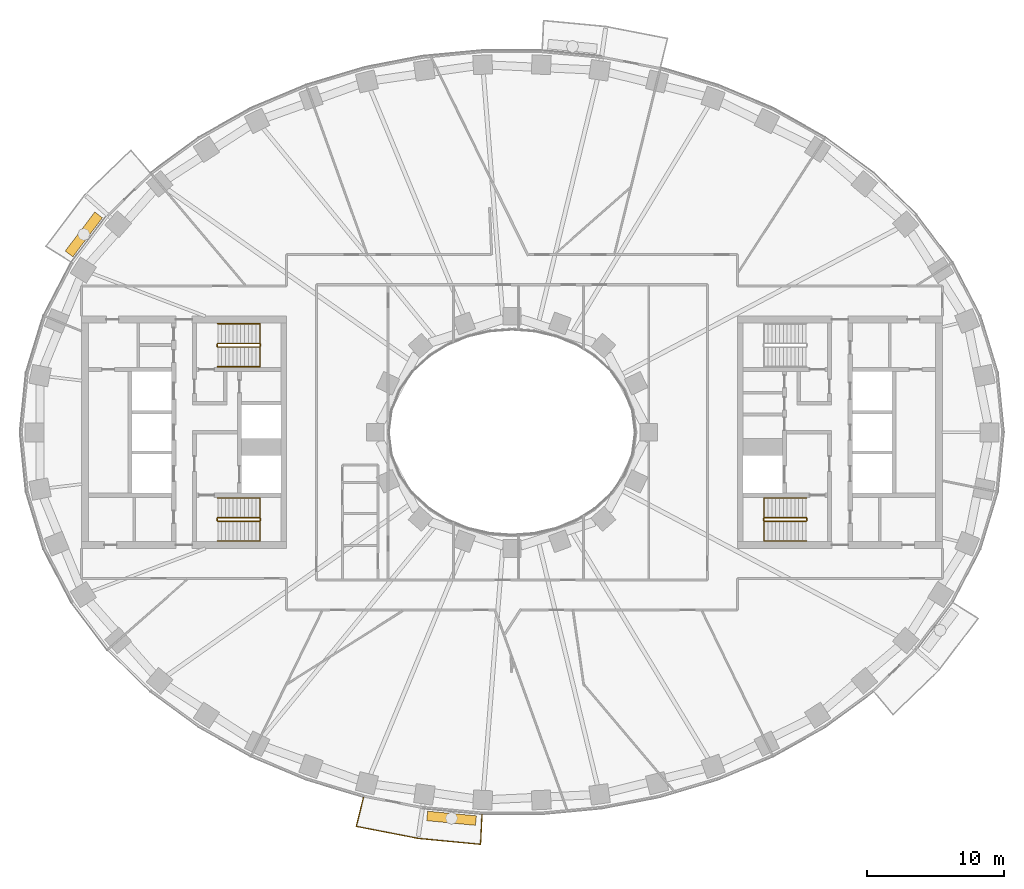
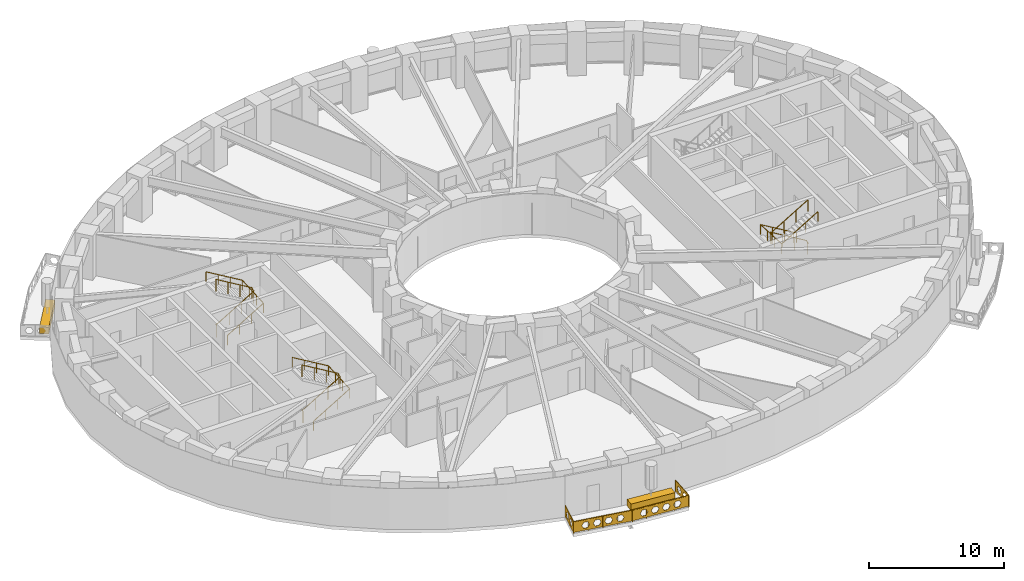
# One storey, part 14 of 16: 7 railings, 2 coverings.
"""IFC4 building model written with IfcOpenShell, lengths in metres."""

from ifc_helpers import new_model, si_unit, direction, frame, origin, origin_2d, place, context, subcontext, project, spatial, polyline, rectangle, outline, extrude, material, type_object, element, save


model = new_model("IFC4")

# Units and contexts
model_context = context("Model", 3, precision=1e-05, world=origin(), true_north=direction((0.0, 1.0)))
body_context = subcontext(model_context, "Body", "Model", "MODEL_VIEW")
ifc_project = project(units=[si_unit("LENGTHUNIT", "METRE"), si_unit("AREAUNIT", "SQUARE_METRE"), si_unit("VOLUMEUNIT", "CUBIC_METRE"), si_unit("PLANEANGLEUNIT", "RADIAN"), si_unit("MASSUNIT", "GRAM", prefix="KILO")], contexts=[model_context])

# Site, building, storey
site_placement = place(None, origin())
site = spatial("IfcSite", under=ifc_project, at=site_placement, CompositionType="ELEMENT")
building_placement = place(site_placement, origin())
building = spatial("IfcBuilding", under=site, at=building_placement, Name="Noorbagh Ring Tower", CompositionType="ELEMENT")
storey_placement = place(building_placement, frame((0.0, 0.0, 58.5)))
storey = spatial("IfcBuildingStorey", under=building, at=storey_placement, Name="L12", CompositionType="ELEMENT", Elevation=58.5)

# Railings
ifc_material_1 = material(Name="Stainless steel", Category="steel")
railing_type_1 = type_object("IfcRailingType", Name="CORE-STAIR-GUARD", PredefinedType="GUARDRAIL", material=ifc_material_1)
railing_1_placement = place(storey_placement, frame((-21.580078125, 6.300048828125, 0.0)))
element("IfcRailing", 1, at=railing_1_placement, inside=storey, type_object=railing_type_1, Name="L12 ST1 stair guard", PredefinedType="GUARDRAIL", context=body_context, shape_type="SweptSolid", body=[
    extrude(rectangle(XDim=0.048095703125, YDim=0.048095703125, at=origin_2d()), frame((0.0, 0.0, 1.076171875), z_axis=(0.0, 1.0, 0.0), x_axis=(-1.0, 0.0, 0.0)), (0.0, 0.0, 1.0), 0.14990234375),
    extrude(rectangle(XDim=0.048095703125, YDim=0.048095703125, at=origin_2d()), frame((0.0, 0.14990234375, 1.076171875), z_axis=(0.188775798145, -0.754182335027, 0.628945707965), x_axis=(0.970072785993, 0.242814311512, 0.0)), (0.0, 0.0, 1.0), 0.26513671875),
    extrude(rectangle(XDim=0.048095703125, YDim=0.048095703125, at=origin_2d()), frame((0.050048828125, -0.050048828125, 1.24267578125), z_axis=(0.859308565015, 0.0, 0.511457515432), x_axis=(0.0, 1.0, 0.0)), (0.0, 0.0, 1.0), 3.58447265625),
    extrude(rectangle(XDim=0.048095703125, YDim=0.048095703125, at=origin_2d()), frame((3.130126953125, -0.050048828125, 3.076171875), z_axis=(0.707106781187, 0.707106781187, 0.0), x_axis=(-0.707106781187, 0.707106781187, 0.0)), (0.0, 0.0, 1.0), 0.07080078125),
    extrude(rectangle(XDim=0.048095703125, YDim=0.048095703125, at=origin_2d()), frame((3.18017578125, 0.0, 3.076171875), z_axis=(0.0, 1.0, 0.0), x_axis=(-1.0, 0.0, 0.0)), (0.0, 0.0, 1.0), 0.14990234375),
    extrude(rectangle(XDim=0.048095703125, YDim=0.048095703125, at=origin_2d()), frame((3.18017578125, 0.14990234375, 3.076171875), z_axis=(-0.27628659633, 0.27628659633, 0.920506074601), x_axis=(-0.707106781187, -0.707106781187, 0.0)), (0.0, 0.0, 1.0), 0.18115234375),
    extrude(rectangle(XDim=0.048095703125, YDim=0.048095703125, at=origin_2d()), frame((3.130126953125, 0.199951171875, 3.24267578125), z_axis=(-0.859308565015, 0.0, 0.511457515432), x_axis=(0.0, -1.0, 0.0)), (0.0, 0.0, 1.0), 3.58447265625),
    extrude(rectangle(XDim=0.0419921875, YDim=0.0419921875, at=origin_2d()), origin(), (0.0, 0.0, 1.0), 1.052001953125),
    extrude(rectangle(XDim=0.0419921875, YDim=0.0419921875, at=origin_2d()), frame((1.07666015625, -0.050048828125, 0.77783203125)), (0.0, 0.0, 1.0), 1.052001953125),
    extrude(rectangle(XDim=0.0419921875, YDim=0.0419921875, at=origin_2d()), frame((2.103515625, -0.050048828125, 1.388916015625)), (0.0, 0.0, 1.0), 1.052001953125),
    extrude(rectangle(XDim=0.0419921875, YDim=0.0419921875, at=origin_2d()), frame((3.130126953125, -0.050048828125, 2.0)), (0.0, 0.0, 1.0), 1.052001953125),
    extrude(rectangle(XDim=0.0419921875, YDim=0.0419921875, at=origin_2d()), frame((3.130126953125, 0.199951171875, 2.166748046875)), (0.0, 0.0, 1.0), 1.052001953125),
    extrude(rectangle(XDim=0.0419921875, YDim=0.0419921875, at=origin_2d()), frame((2.103515625, 0.199951171875, 2.77783203125)), (0.0, 0.0, 1.0), 1.052001953125),
    extrude(rectangle(XDim=0.0419921875, YDim=0.0419921875, at=origin_2d()), frame((1.07666015625, 0.199951171875, 3.388916015625)), (0.0, 0.0, 1.0), 1.052001953125),
    extrude(rectangle(XDim=0.0419921875, YDim=0.0419921875, at=origin_2d()), frame((0.050048828125, 0.199951171875, 4.0)), (0.0, 0.0, 1.0), 1.052001953125),
])
railing_2_placement = place(storey_placement, frame((-21.580078125, -6.449951171875, 0.0)))
element("IfcRailing", 2, at=railing_2_placement, inside=storey, type_object=railing_type_1, Name="L12 ST2 stair guard", PredefinedType="GUARDRAIL", context=body_context, shape_type="SweptSolid", body=[
    extrude(rectangle(XDim=0.048095703125, YDim=0.048095703125, at=origin_2d()), frame((0.0, 0.0, 1.076171875), z_axis=(0.0, 1.0, 0.0), x_axis=(-1.0, 0.0, 0.0)), (0.0, 0.0, 1.0), 0.14990234375),
    extrude(rectangle(XDim=0.048095703125, YDim=0.048095703125, at=origin_2d()), frame((0.0, 0.14990234375, 1.076171875), z_axis=(0.188775798145, -0.754182335027, 0.628945707965), x_axis=(0.970072785993, 0.242814311512, 0.0)), (0.0, 0.0, 1.0), 0.26513671875),
    extrude(rectangle(XDim=0.048095703125, YDim=0.048095703125, at=origin_2d()), frame((0.050048828125, -0.050048828125, 1.24267578125), z_axis=(0.859308565015, 0.0, 0.511457515432), x_axis=(0.0, 1.0, 0.0)), (0.0, 0.0, 1.0), 3.58447265625),
    extrude(rectangle(XDim=0.048095703125, YDim=0.048095703125, at=origin_2d()), frame((3.130126953125, -0.050048828125, 3.076171875), z_axis=(0.707106781187, 0.707106781187, 0.0), x_axis=(-0.707106781187, 0.707106781187, 0.0)), (0.0, 0.0, 1.0), 0.07080078125),
    extrude(rectangle(XDim=0.048095703125, YDim=0.048095703125, at=origin_2d()), frame((3.18017578125, 0.0, 3.076171875), z_axis=(0.0, 1.0, 0.0), x_axis=(-1.0, 0.0, 0.0)), (0.0, 0.0, 1.0), 0.14990234375),
    extrude(rectangle(XDim=0.048095703125, YDim=0.048095703125, at=origin_2d()), frame((3.18017578125, 0.14990234375, 3.076171875), z_axis=(-0.27628659633, 0.27628659633, 0.920506074601), x_axis=(-0.707106781187, -0.707106781187, 0.0)), (0.0, 0.0, 1.0), 0.18115234375),
    extrude(rectangle(XDim=0.048095703125, YDim=0.048095703125, at=origin_2d()), frame((3.130126953125, 0.199951171875, 3.24267578125), z_axis=(-0.859308565015, 0.0, 0.511457515432), x_axis=(0.0, -1.0, 0.0)), (0.0, 0.0, 1.0), 3.58447265625),
    extrude(rectangle(XDim=0.0419921875, YDim=0.0419921875, at=origin_2d()), origin(), (0.0, 0.0, 1.0), 1.052001953125),
    extrude(rectangle(XDim=0.0419921875, YDim=0.0419921875, at=origin_2d()), frame((1.07666015625, -0.050048828125, 0.77783203125)), (0.0, 0.0, 1.0), 1.052001953125),
    extrude(rectangle(XDim=0.0419921875, YDim=0.0419921875, at=origin_2d()), frame((2.103515625, -0.050048828125, 1.388916015625)), (0.0, 0.0, 1.0), 1.052001953125),
    extrude(rectangle(XDim=0.0419921875, YDim=0.0419921875, at=origin_2d()), frame((3.130126953125, -0.050048828125, 2.0)), (0.0, 0.0, 1.0), 1.052001953125),
    extrude(rectangle(XDim=0.0419921875, YDim=0.0419921875, at=origin_2d()), frame((3.130126953125, 0.199951171875, 2.166748046875)), (0.0, 0.0, 1.0), 1.052001953125),
    extrude(rectangle(XDim=0.0419921875, YDim=0.0419921875, at=origin_2d()), frame((2.103515625, 0.199951171875, 2.77783203125)), (0.0, 0.0, 1.0), 1.052001953125),
    extrude(rectangle(XDim=0.0419921875, YDim=0.0419921875, at=origin_2d()), frame((1.07666015625, 0.199951171875, 3.388916015625)), (0.0, 0.0, 1.0), 1.052001953125),
    extrude(rectangle(XDim=0.0419921875, YDim=0.0419921875, at=origin_2d()), frame((0.050048828125, 0.199951171875, 4.0)), (0.0, 0.0, 1.0), 1.052001953125),
])
railing_3_placement = place(storey_placement, frame((21.580078125, -6.300048828125, 0.0)))
element("IfcRailing", 3, at=railing_3_placement, inside=storey, type_object=railing_type_1, Name="L12 ST4 stair guard", PredefinedType="GUARDRAIL", context=body_context, shape_type="SweptSolid", body=[
    extrude(rectangle(XDim=0.048095703125, YDim=0.048095703125, at=origin_2d()), frame((0.0, 0.0, 1.076171875), z_axis=(0.0, -1.0, 0.0), x_axis=(1.0, 0.0, 0.0)), (0.0, 0.0, 1.0), 0.14990234375),
    extrude(rectangle(XDim=0.048095703125, YDim=0.048095703125, at=origin_2d()), frame((0.0, -0.14990234375, 1.076171875), z_axis=(-0.188775798145, 0.754182335027, 0.628945707965), x_axis=(-0.970072785993, -0.242814311512, 0.0)), (0.0, 0.0, 1.0), 0.26513671875),
    extrude(rectangle(XDim=0.048095703125, YDim=0.048095703125, at=origin_2d()), frame((-0.050048828125, 0.050048828125, 1.24267578125), z_axis=(-0.859308565015, 0.0, 0.511457515432), x_axis=(0.0, -1.0, 0.0)), (0.0, 0.0, 1.0), 3.58447265625),
    extrude(rectangle(XDim=0.048095703125, YDim=0.048095703125, at=origin_2d()), frame((-3.130126953125, 0.050048828125, 3.076171875), z_axis=(-0.707106781187, -0.707106781187, 0.0), x_axis=(0.707106781187, -0.707106781187, 0.0)), (0.0, 0.0, 1.0), 0.07080078125),
    extrude(rectangle(XDim=0.048095703125, YDim=0.048095703125, at=origin_2d()), frame((-3.18017578125, 0.0, 3.076171875), z_axis=(0.0, -1.0, 0.0), x_axis=(1.0, 0.0, 0.0)), (0.0, 0.0, 1.0), 0.14990234375),
    extrude(rectangle(XDim=0.048095703125, YDim=0.048095703125, at=origin_2d()), frame((-3.18017578125, -0.14990234375, 3.076171875), z_axis=(0.27628659633, -0.27628659633, 0.920506074601), x_axis=(0.707106781187, 0.707106781187, 0.0)), (0.0, 0.0, 1.0), 0.18115234375),
    extrude(rectangle(XDim=0.048095703125, YDim=0.048095703125, at=origin_2d()), frame((-3.130126953125, -0.199951171875, 3.24267578125), z_axis=(0.859308565015, 0.0, 0.511457515432), x_axis=(0.0, 1.0, 0.0)), (0.0, 0.0, 1.0), 3.58447265625),
    extrude(rectangle(XDim=0.0419921875, YDim=0.0419921875, at=origin_2d()), origin(), (0.0, 0.0, 1.0), 1.052001953125),
    extrude(rectangle(XDim=0.0419921875, YDim=0.0419921875, at=origin_2d()), frame((-1.07666015625, 0.050048828125, 0.77783203125)), (0.0, 0.0, 1.0), 1.052001953125),
    extrude(rectangle(XDim=0.0419921875, YDim=0.0419921875, at=origin_2d()), frame((-2.103515625, 0.050048828125, 1.388916015625)), (0.0, 0.0, 1.0), 1.052001953125),
    extrude(rectangle(XDim=0.0419921875, YDim=0.0419921875, at=origin_2d()), frame((-3.130126953125, 0.050048828125, 2.0)), (0.0, 0.0, 1.0), 1.052001953125),
    extrude(rectangle(XDim=0.0419921875, YDim=0.0419921875, at=origin_2d()), frame((-3.130126953125, -0.199951171875, 2.166748046875)), (0.0, 0.0, 1.0), 1.052001953125),
    extrude(rectangle(XDim=0.0419921875, YDim=0.0419921875, at=origin_2d()), frame((-2.103515625, -0.199951171875, 2.77783203125)), (0.0, 0.0, 1.0), 1.052001953125),
    extrude(rectangle(XDim=0.0419921875, YDim=0.0419921875, at=origin_2d()), frame((-1.07666015625, -0.199951171875, 3.388916015625)), (0.0, 0.0, 1.0), 1.052001953125),
    extrude(rectangle(XDim=0.0419921875, YDim=0.0419921875, at=origin_2d()), frame((-0.050048828125, -0.199951171875, 4.0)), (0.0, 0.0, 1.0), 1.052001953125),
])
ifc_material_2 = material(Name="Stainless steel", Category="steel")
railing_type_2 = type_object("IfcRailingType", Name="CORE-STAIR-HANDRAIL", PredefinedType="HANDRAIL", material=ifc_material_2)
railing_4_placement = place(storey_placement, frame((-21.530029296875, 4.800048828125, 0.166748046875)))
element("IfcRailing", 4, at=railing_4_placement, inside=storey, type_object=railing_type_2, Name="L12 ST1 stair handrail", PredefinedType="HANDRAIL", context=body_context, shape_type="SweptSolid", body=[
    extrude(rectangle(XDim=0.048095703125, YDim=0.048095703125, at=origin_2d()), frame((0.0, 0.0, 0.8759765625), z_axis=(0.859308565015, 0.0, 0.511457515432), x_axis=(0.0, 1.0, 0.0)), (0.0, 0.0, 1.0), 3.58447265625),
    extrude(rectangle(XDim=0.048095703125, YDim=0.048095703125, at=origin_2d()), frame((3.080078125, 0.0, 2.708984375), z_axis=(0.0, 0.998601747152, 0.052863509014), x_axis=(-1.0, 0.0, 0.0)), (0.0, 0.0, 1.0), 3.154296875),
    extrude(rectangle(XDim=0.048095703125, YDim=0.048095703125, at=origin_2d()), frame((3.080078125, 3.14990234375, 2.8759765625), z_axis=(-0.859308565015, 0.0, 0.511457515432), x_axis=(0.0, -1.0, 0.0)), (0.0, 0.0, 1.0), 3.58447265625),
    extrude(rectangle(XDim=0.0419921875, YDim=0.0419921875, at=origin_2d()), origin(), (0.0, 0.0, 1.0), 0.851806640625),
    extrude(rectangle(XDim=0.0419921875, YDim=0.0419921875, at=origin_2d()), frame((1.026611328125, 0.0, 0.611083984375)), (0.0, 0.0, 1.0), 0.851806640625),
    extrude(rectangle(XDim=0.0419921875, YDim=0.0419921875, at=origin_2d()), frame((2.053466796875, 0.0, 1.22216796875)), (0.0, 0.0, 1.0), 0.851806640625),
    extrude(rectangle(XDim=0.0419921875, YDim=0.0419921875, at=origin_2d()), frame((3.080078125, 0.0, 1.833251953125)), (0.0, 0.0, 1.0), 0.851806640625),
    extrude(rectangle(XDim=0.0419921875, YDim=0.0419921875, at=origin_2d()), frame((3.080078125, 1.050048828125, 1.888916015625)), (0.0, 0.0, 1.0), 0.851806640625),
    extrude(rectangle(XDim=0.0419921875, YDim=0.0419921875, at=origin_2d()), frame((3.080078125, 2.099853515625, 1.9443359375)), (0.0, 0.0, 1.0), 0.851806640625),
    extrude(rectangle(XDim=0.0419921875, YDim=0.0419921875, at=origin_2d()), frame((3.080078125, 3.14990234375, 2.0)), (0.0, 0.0, 1.0), 0.851806640625),
    extrude(rectangle(XDim=0.0419921875, YDim=0.0419921875, at=origin_2d()), frame((2.053466796875, 3.14990234375, 2.611083984375)), (0.0, 0.0, 1.0), 0.851806640625),
    extrude(rectangle(XDim=0.0419921875, YDim=0.0419921875, at=origin_2d()), frame((1.026611328125, 3.14990234375, 3.22216796875)), (0.0, 0.0, 1.0), 0.851806640625),
    extrude(rectangle(XDim=0.0419921875, YDim=0.0419921875, at=origin_2d()), frame((0.0, 3.14990234375, 3.833251953125)), (0.0, 0.0, 1.0), 0.851806640625),
])
railing_5_placement = place(storey_placement, frame((-21.530029296875, -7.949951171875, 0.166748046875)))
element("IfcRailing", 5, at=railing_5_placement, inside=storey, type_object=railing_type_2, Name="L12 ST2 stair handrail", PredefinedType="HANDRAIL", context=body_context, shape_type="SweptSolid", body=[
    extrude(rectangle(XDim=0.048095703125, YDim=0.048095703125, at=origin_2d()), frame((0.0, 0.0, 0.8759765625), z_axis=(0.859308565015, 0.0, 0.511457515432), x_axis=(0.0, 1.0, 0.0)), (0.0, 0.0, 1.0), 3.58447265625),
    extrude(rectangle(XDim=0.048095703125, YDim=0.048095703125, at=origin_2d()), frame((3.080078125, 0.0, 2.708984375), z_axis=(0.0, 0.998601747152, 0.052863509014), x_axis=(-1.0, 0.0, 0.0)), (0.0, 0.0, 1.0), 3.154296875),
    extrude(rectangle(XDim=0.048095703125, YDim=0.048095703125, at=origin_2d()), frame((3.080078125, 3.14990234375, 2.8759765625), z_axis=(-0.859308565015, 0.0, 0.511457515432), x_axis=(0.0, -1.0, 0.0)), (0.0, 0.0, 1.0), 3.58447265625),
    extrude(rectangle(XDim=0.0419921875, YDim=0.0419921875, at=origin_2d()), origin(), (0.0, 0.0, 1.0), 0.851806640625),
    extrude(rectangle(XDim=0.0419921875, YDim=0.0419921875, at=origin_2d()), frame((1.026611328125, 0.0, 0.611083984375)), (0.0, 0.0, 1.0), 0.851806640625),
    extrude(rectangle(XDim=0.0419921875, YDim=0.0419921875, at=origin_2d()), frame((2.053466796875, 0.0, 1.22216796875)), (0.0, 0.0, 1.0), 0.851806640625),
    extrude(rectangle(XDim=0.0419921875, YDim=0.0419921875, at=origin_2d()), frame((3.080078125, 0.0, 1.833251953125)), (0.0, 0.0, 1.0), 0.851806640625),
    extrude(rectangle(XDim=0.0419921875, YDim=0.0419921875, at=origin_2d()), frame((3.080078125, 1.050048828125, 1.888916015625)), (0.0, 0.0, 1.0), 0.851806640625),
    extrude(rectangle(XDim=0.0419921875, YDim=0.0419921875, at=origin_2d()), frame((3.080078125, 2.099853515625, 1.9443359375)), (0.0, 0.0, 1.0), 0.851806640625),
    extrude(rectangle(XDim=0.0419921875, YDim=0.0419921875, at=origin_2d()), frame((3.080078125, 3.14990234375, 2.0)), (0.0, 0.0, 1.0), 0.851806640625),
    extrude(rectangle(XDim=0.0419921875, YDim=0.0419921875, at=origin_2d()), frame((2.053466796875, 3.14990234375, 2.611083984375)), (0.0, 0.0, 1.0), 0.851806640625),
    extrude(rectangle(XDim=0.0419921875, YDim=0.0419921875, at=origin_2d()), frame((1.026611328125, 3.14990234375, 3.22216796875)), (0.0, 0.0, 1.0), 0.851806640625),
    extrude(rectangle(XDim=0.0419921875, YDim=0.0419921875, at=origin_2d()), frame((0.0, 3.14990234375, 3.833251953125)), (0.0, 0.0, 1.0), 0.851806640625),
])
railing_6_placement = place(storey_placement, frame((21.530029296875, -4.800048828125, 0.166748046875)))
element("IfcRailing", 6, at=railing_6_placement, inside=storey, type_object=railing_type_2, Name="L12 ST4 stair handrail", PredefinedType="HANDRAIL", context=body_context, shape_type="SweptSolid", body=[
    extrude(rectangle(XDim=0.048095703125, YDim=0.048095703125, at=origin_2d()), frame((0.0, 0.0, 0.8759765625), z_axis=(-0.859308565015, 0.0, 0.511457515432), x_axis=(0.0, -1.0, 0.0)), (0.0, 0.0, 1.0), 3.58447265625),
    extrude(rectangle(XDim=0.048095703125, YDim=0.048095703125, at=origin_2d()), frame((-3.080078125, 0.0, 2.708984375), z_axis=(0.0, -0.998601747152, 0.052863509014), x_axis=(1.0, 0.0, 0.0)), (0.0, 0.0, 1.0), 3.154296875),
    extrude(rectangle(XDim=0.048095703125, YDim=0.048095703125, at=origin_2d()), frame((-3.080078125, -3.14990234375, 2.8759765625), z_axis=(0.859308565015, 0.0, 0.511457515432), x_axis=(0.0, 1.0, 0.0)), (0.0, 0.0, 1.0), 3.58447265625),
    extrude(rectangle(XDim=0.0419921875, YDim=0.0419921875, at=origin_2d()), origin(), (0.0, 0.0, 1.0), 0.851806640625),
    extrude(rectangle(XDim=0.0419921875, YDim=0.0419921875, at=origin_2d()), frame((-1.026611328125, 0.0, 0.611083984375)), (0.0, 0.0, 1.0), 0.851806640625),
    extrude(rectangle(XDim=0.0419921875, YDim=0.0419921875, at=origin_2d()), frame((-2.053466796875, 0.0, 1.22216796875)), (0.0, 0.0, 1.0), 0.851806640625),
    extrude(rectangle(XDim=0.0419921875, YDim=0.0419921875, at=origin_2d()), frame((-3.080078125, 0.0, 1.833251953125)), (0.0, 0.0, 1.0), 0.851806640625),
    extrude(rectangle(XDim=0.0419921875, YDim=0.0419921875, at=origin_2d()), frame((-3.080078125, -1.050048828125, 1.888916015625)), (0.0, 0.0, 1.0), 0.851806640625),
    extrude(rectangle(XDim=0.0419921875, YDim=0.0419921875, at=origin_2d()), frame((-3.080078125, -2.099853515625, 1.9443359375)), (0.0, 0.0, 1.0), 0.851806640625),
    extrude(rectangle(XDim=0.0419921875, YDim=0.0419921875, at=origin_2d()), frame((-3.080078125, -3.14990234375, 2.0)), (0.0, 0.0, 1.0), 0.851806640625),
    extrude(rectangle(XDim=0.0419921875, YDim=0.0419921875, at=origin_2d()), frame((-2.053466796875, -3.14990234375, 2.611083984375)), (0.0, 0.0, 1.0), 0.851806640625),
    extrude(rectangle(XDim=0.0419921875, YDim=0.0419921875, at=origin_2d()), frame((-1.026611328125, -3.14990234375, 3.22216796875)), (0.0, 0.0, 1.0), 0.851806640625),
    extrude(rectangle(XDim=0.0419921875, YDim=0.0419921875, at=origin_2d()), frame((0.0, -3.14990234375, 3.833251953125)), (0.0, 0.0, 1.0), 0.851806640625),
])
ifc_material_3 = material(Name="Steel S275 black powder-coated", Category="steel")
railing_type_3 = type_object("IfcRailingType", Name="ENV-GUARD", PredefinedType="GUARDRAIL", material=ifc_material_3)
railing_7_placement = place(storey_placement, frame((-10.865234375, -26.6943359375, 0.0)))
element("IfcRailing", 7, at=railing_7_placement, inside=storey, type_object=railing_type_3, Name="Balcony guard BS03", PredefinedType="GUARDRAIL", context=body_context, shape_type="SweptSolid", body=[
    extrude(rectangle(XDim=0.048095703125, YDim=0.048095703125, at=origin_2d()), frame((0.0, 0.0, 1.076171875), z_axis=(-0.239848558412, -0.970810315679, 0.0), x_axis=(0.970810315679, -0.239848558412, 0.0)), (0.0, 0.0, 1.0), 2.20263671875),
    extrude(rectangle(XDim=0.048095703125, YDim=0.048095703125, at=origin_2d()), frame((-0.5283203125, -2.138427734375, 1.076171875), z_axis=(0.981625049064, -0.1908199755, 0.0), x_axis=(0.1908199755, 0.981625049064, 0.0)), (0.0, 0.0, 1.0), 4.603271484375),
    extrude(rectangle(XDim=0.048095703125, YDim=0.048095703125, at=origin_2d()), frame((3.990478515625, -3.016845703125, 1.076171875), z_axis=(0.995477555764, -0.094997031379, 0.0), x_axis=(0.094997031379, 0.995477555764, 0.0)), (0.0, 0.0, 1.0), 4.59765625),
    extrude(rectangle(XDim=0.048095703125, YDim=0.048095703125, at=origin_2d()), frame((8.5673828125, -3.45361328125, 1.076171875), z_axis=(0.047554616162, 0.998868639252, 0.0), x_axis=(-0.998868639252, 0.047554616162, 0.0)), (0.0, 0.0, 1.0), 2.202392578125),
    extrude(rectangle(XDim=0.0419921875, YDim=0.0419921875, at=origin_2d()), origin(), (0.0, 0.0, 1.0), 1.052001953125),
    extrude(rectangle(XDim=0.0419921875, YDim=0.0419921875, at=origin_2d()), frame((-0.26416015625, -1.0693359375, 0.0)), (0.0, 0.0, 1.0), 1.052001953125),
    extrude(rectangle(XDim=0.0419921875, YDim=0.0419921875, at=origin_2d()), frame((-0.5283203125, -2.138427734375, 0.0)), (0.0, 0.0, 1.0), 1.052001953125),
    extrude(rectangle(XDim=0.0419921875, YDim=0.0419921875, at=origin_2d()), frame((0.601318359375, -2.35791015625, 0.0)), (0.0, 0.0, 1.0), 1.052001953125),
    extrude(rectangle(XDim=0.0419921875, YDim=0.0419921875, at=origin_2d()), frame((1.73095703125, -2.57763671875, 0.0)), (0.0, 0.0, 1.0), 1.052001953125),
    extrude(rectangle(XDim=0.0419921875, YDim=0.0419921875, at=origin_2d()), frame((2.86083984375, -2.79736328125, 0.0)), (0.0, 0.0, 1.0), 1.052001953125),
    extrude(rectangle(XDim=0.0419921875, YDim=0.0419921875, at=origin_2d()), frame((3.990478515625, -3.016845703125, 0.0)), (0.0, 0.0, 1.0), 1.052001953125),
    extrude(rectangle(XDim=0.0419921875, YDim=0.0419921875, at=origin_2d()), frame((5.134765625, -3.1259765625, 0.0)), (0.0, 0.0, 1.0), 1.052001953125),
    extrude(rectangle(XDim=0.0419921875, YDim=0.0419921875, at=origin_2d()), frame((6.27880859375, -3.2353515625, 0.0)), (0.0, 0.0, 1.0), 1.052001953125),
    extrude(rectangle(XDim=0.0419921875, YDim=0.0419921875, at=origin_2d()), frame((7.423095703125, -3.344482421875, 0.0)), (0.0, 0.0, 1.0), 1.052001953125),
    extrude(rectangle(XDim=0.0419921875, YDim=0.0419921875, at=origin_2d()), frame((8.5673828125, -3.45361328125, 0.0)), (0.0, 0.0, 1.0), 1.052001953125),
    extrude(rectangle(XDim=0.0419921875, YDim=0.0419921875, at=origin_2d()), frame((8.61962890625, -2.353515625, 0.0)), (0.0, 0.0, 1.0), 1.052001953125),
    extrude(rectangle(XDim=0.0419921875, YDim=0.0419921875, at=origin_2d()), frame((8.672119140625, -1.253662109375, 0.0)), (0.0, 0.0, 1.0), 1.052001953125),
    extrude(outline(polyline([(0.0, 0.10009765625), (2.20263671875, 0.10009765625), (2.20263671875, 1.031982421875), (0.0, 1.031982421875), (0.0, 0.10009765625)]), holes=[polyline([(0.96142578125, 0.56591796875), (0.806396484375, 0.83447265625), (0.496337890625, 0.83447265625), (0.34130859375, 0.56591796875), (0.496337890625, 0.297607421875), (0.806396484375, 0.297607421875), (0.96142578125, 0.56591796875)]), polyline([(1.861328125, 0.56591796875), (1.706298828125, 0.83447265625), (1.396240234375, 0.83447265625), (1.241455078125, 0.56591796875), (1.396240234375, 0.297607421875), (1.706298828125, 0.297607421875), (1.861328125, 0.56591796875)])]), frame((0.009765625, -0.00244140625, 0.0), z_axis=(-0.970810315679, 0.239848558412, 0.0), x_axis=(-0.239848558412, -0.970810315679, 0.0)), (0.0, 0.0, 1.0), 0.02001953125),
    extrude(outline(polyline([(0.0, 0.10009765625), (4.603271484375, 0.10009765625), (4.603271484375, 1.031982421875), (0.0, 1.031982421875), (0.0, 0.10009765625)]), holes=[polyline([(1.26171875, 0.56591796875), (1.106689453125, 0.83447265625), (0.796630859375, 0.83447265625), (0.6416015625, 0.56591796875), (0.796630859375, 0.297607421875), (1.106689453125, 0.297607421875), (1.26171875, 0.56591796875)]), polyline([(2.16162109375, 0.56591796875), (2.006591796875, 0.83447265625), (1.69677734375, 0.83447265625), (1.541748046875, 0.56591796875), (1.69677734375, 0.297607421875), (2.006591796875, 0.297607421875), (2.16162109375, 0.56591796875)]), polyline([(3.061767578125, 0.56591796875), (2.90673828125, 0.83447265625), (2.5966796875, 0.83447265625), (2.441650390625, 0.56591796875), (2.5966796875, 0.297607421875), (2.90673828125, 0.297607421875), (3.061767578125, 0.56591796875)]), polyline([(3.961669921875, 0.56591796875), (3.806640625, 0.83447265625), (3.49658203125, 0.83447265625), (3.341796875, 0.56591796875), (3.49658203125, 0.297607421875), (3.806640625, 0.297607421875), (3.961669921875, 0.56591796875)])]), frame((-0.5263671875, -2.128662109375, 0.0), z_axis=(-0.1908199755, -0.981625049064, 0.0), x_axis=(0.981625049064, -0.1908199755, 0.0)), (0.0, 0.0, 1.0), 0.02001953125),
    extrude(outline(polyline([(0.0, 0.10009765625), (4.59765625, 0.10009765625), (4.59765625, 1.031982421875), (0.0, 1.031982421875), (0.0, 0.10009765625)]), holes=[polyline([(1.2587890625, 0.56591796875), (1.103759765625, 0.83447265625), (0.7939453125, 0.83447265625), (0.638916015625, 0.56591796875), (0.7939453125, 0.297607421875), (1.103759765625, 0.297607421875), (1.2587890625, 0.56591796875)]), polyline([(2.158935546875, 0.56591796875), (2.00390625, 0.83447265625), (1.69384765625, 0.83447265625), (1.538818359375, 0.56591796875), (1.69384765625, 0.297607421875), (2.00390625, 0.297607421875), (2.158935546875, 0.56591796875)]), polyline([(3.058837890625, 0.56591796875), (2.90380859375, 0.83447265625), (2.59375, 0.83447265625), (2.43896484375, 0.56591796875), (2.59375, 0.297607421875), (2.90380859375, 0.297607421875), (3.058837890625, 0.56591796875)]), polyline([(3.958740234375, 0.56591796875), (3.803955078125, 0.83447265625), (3.493896484375, 0.83447265625), (3.3388671875, 0.56591796875), (3.493896484375, 0.297607421875), (3.803955078125, 0.297607421875), (3.958740234375, 0.56591796875)])]), frame((3.991455078125, -3.0068359375, 0.0), z_axis=(-0.094997031379, -0.995477555764, 0.0), x_axis=(0.995477555764, -0.094997031379, 0.0)), (0.0, 0.0, 1.0), 0.02001953125),
    extrude(outline(polyline([(0.0, 0.10009765625), (2.202392578125, 0.10009765625), (2.202392578125, 1.031982421875), (0.0, 1.031982421875), (0.0, 0.10009765625)]), holes=[polyline([(0.961181640625, 0.56591796875), (0.80615234375, 0.83447265625), (0.496337890625, 0.83447265625), (0.34130859375, 0.56591796875), (0.496337890625, 0.297607421875), (0.80615234375, 0.297607421875), (0.961181640625, 0.56591796875)]), polyline([(1.861328125, 0.56591796875), (1.706298828125, 0.83447265625), (1.396240234375, 0.83447265625), (1.2412109375, 0.56591796875), (1.396240234375, 0.297607421875), (1.706298828125, 0.297607421875), (1.861328125, 0.56591796875)])]), frame((8.557373046875, -3.453125, 0.0), z_axis=(0.998868639252, -0.047554616162, 0.0), x_axis=(0.047554616162, 0.998868639252, 0.0)), (0.0, 0.0, 1.0), 0.02001953125),
])

# Coverings
ifc_material_4 = material(Name="Concrete C30/37 planter with soil", Category="concrete")
covering_type = type_object("IfcCoveringType", Name="ENV-PLANTER", PredefinedType="CLADDING", material=ifc_material_4)
covering_1_placement = place(storey_placement, frame((-31.329833984375, 14.4833984375, 0.0), z_axis=(0.0, 0.0, 1.0), x_axis=(-0.604020184358, -0.796969018776, 0.0)))
element("IfcCovering", 8, at=covering_1_placement, inside=storey, type_object=covering_type, Name="PLANTER BN06", ObjectType="PLANTER", PredefinedType="CLADDING", context=body_context, shape_type="SweptSolid", body=[
    extrude(rectangle(XDim=3.583251953125, YDim=0.699951171875, at=origin_2d()), origin(), (0.0, 0.0, 1.0), 0.60009765625),
])
covering_2_placement = place(storey_placement, frame((-4.423828125, -28.2373046875, 0.0), z_axis=(0.0, 0.0, 1.0), x_axis=(0.995476497323, -0.095008122171, 0.0)))
element("IfcCovering", 9, at=covering_2_placement, inside=storey, type_object=covering_type, Name="PLANTER BS03", ObjectType="PLANTER", PredefinedType="CLADDING", context=body_context, shape_type="SweptSolid", body=[
    extrude(rectangle(XDim=3.58642578125, YDim=0.699951171875, at=origin_2d()), origin(), (0.0, 0.0, 1.0), 0.60009765625),
])

save(model, "model.ifc")
